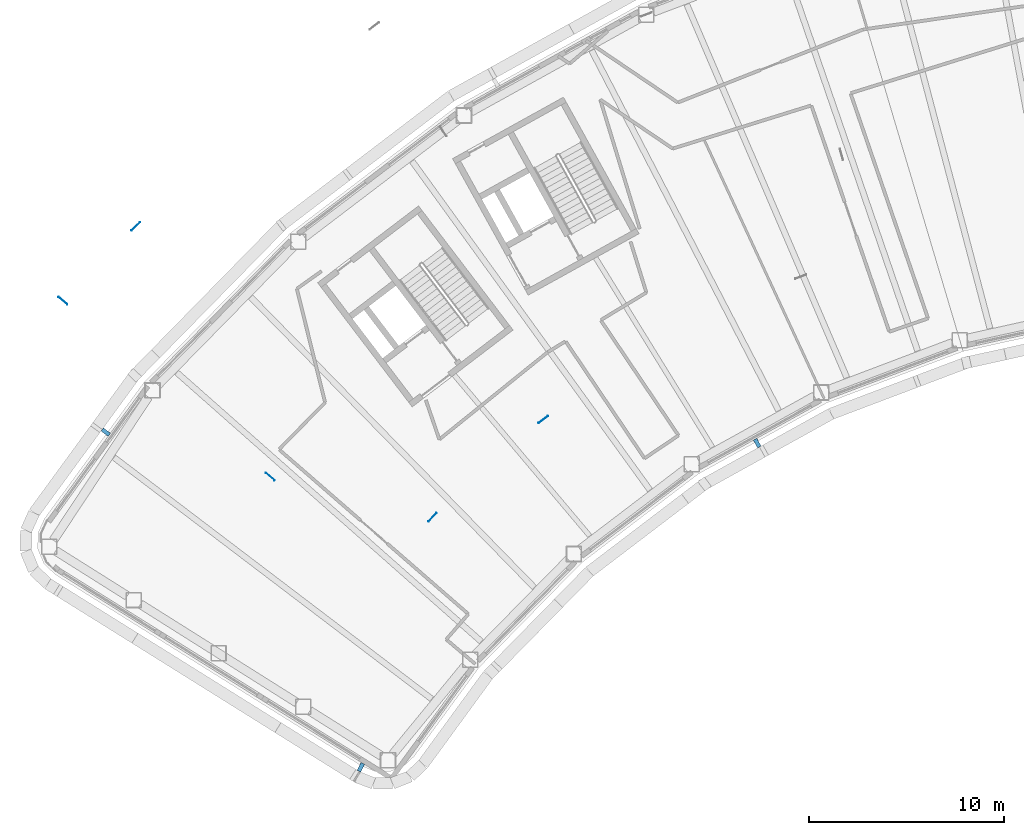
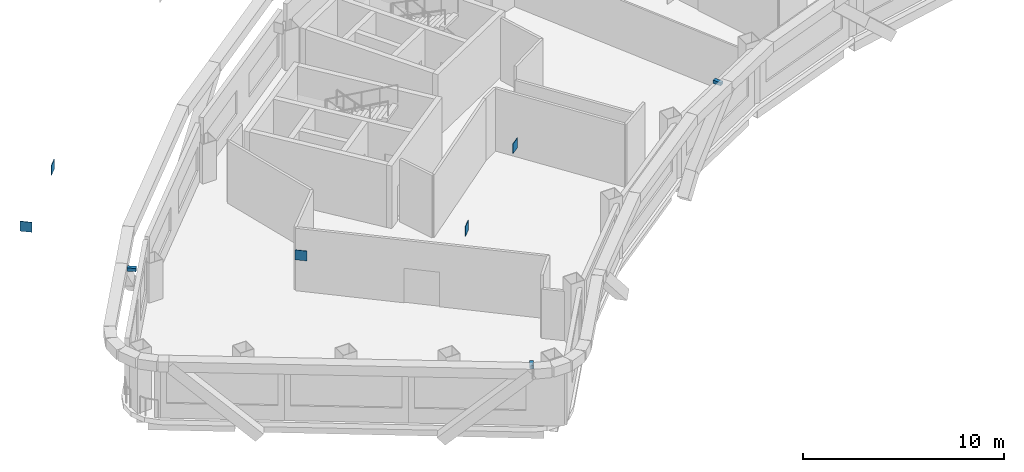
# One storey, part 12 of 21: 8 discrete accessories.
"""IFC4 building model written with IfcOpenShell, lengths in metres."""

import ifcopenshell
import ifcopenshell.guid

model = None  # the IFC model being written
_history = None  # IfcOwnerHistory: only IFC2X3 demands one
_inside = {}  # id of a spatial element -> (the spatial element, [elements in it])
_under = {}  # id of a project, library or spatial element -> (it, [spatial elements below it])
_declared = {}  # id of a project -> (the project, [libraries it declares])
_typed = {}  # id of a type object -> (the type object, [elements of that type])
_made_of = {}  # id of a material, layer set ... -> (it, [elements and type objects made of it])


def new_model(schema):
    """Start an empty IFC model of exactly this schema.

    Asked for "IFC4X3", IfcOpenShell would pick the latest addendum, in which some entities
    have other attributes; the version numbers below select the first issue.
    IFC2X3 requires an IfcOwnerHistory on every rooted entity: one is made here for all.
    """
    global model, _history
    if schema == "IFC4X3":
        model = ifcopenshell.file(schema_version=(4, 3, 0, 0))
    else:
        model = ifcopenshell.file(schema=schema)
    _inside.clear()
    _under.clear()
    _declared.clear()
    _typed.clear()
    _made_of.clear()
    _history = None
    if model.schema == "IFC2X3":
        org = make("IfcOrganization", Name="unknown")
        user = make(
            "IfcPersonAndOrganization",
            ThePerson=make("IfcPerson", FamilyName="unknown"),
            TheOrganization=org,
        )
        app = make(
            "IfcApplication",
            ApplicationDeveloper=org,
            Version="unknown",
            ApplicationFullName="unknown",
            ApplicationIdentifier="unknown",
        )
        _history = make(
            "IfcOwnerHistory",
            OwningUser=user,
            OwningApplication=app,
            ChangeAction="ADDED",
            CreationDate=0,
        )
    return model


def make(cls, **values):
    """One entity of the class cls with the attributes given. An attribute that is None is left unset."""
    return model.create_entity(
        cls, **{name: value for name, value in values.items() if value is not None}
    )


def rooted(cls, **values):
    """An entity with a GlobalId (a new one), such as an element, a storey or a relation."""
    return make(cls, GlobalId=ifcopenshell.guid.new(), OwnerHistory=_history, **values)


def si_unit(unit_type, name, prefix=None):
    """IfcSIUnit, for example si_unit("LENGTHUNIT", "METRE", prefix="MILLI")."""
    return make("IfcSIUnit", UnitType=unit_type, Prefix=prefix, Name=name)


def assignment(units):
    """IfcUnitAssignment: the units of a project."""
    return None if units is None else make("IfcUnitAssignment", Units=units)


def point(xyz):
    """IfcCartesianPoint."""
    return None if xyz is None else make("IfcCartesianPoint", Coordinates=xyz)


def direction(xyz):
    """IfcDirection."""
    return None if xyz is None else make("IfcDirection", DirectionRatios=xyz)


def frame(location, z_axis=None, x_axis=None):
    """IfcAxis2Placement3D, a coordinate frame: its origin and axes. An axis left out is left unset."""
    return make(
        "IfcAxis2Placement3D",
        Location=point(location),
        Axis=direction(z_axis),
        RefDirection=direction(x_axis),
    )


def frame_2d(location, x_axis=None):
    """IfcAxis2Placement2D, a coordinate frame in the plane: its origin and x axis."""
    return make(
        "IfcAxis2Placement2D", Location=point(location), RefDirection=direction(x_axis)
    )


def origin():
    """The frame at (0, 0, 0) with its axes left unset."""
    return frame((0.0, 0.0, 0.0))


def origin_2d():
    """The frame at (0, 0) in the plane with its x axis left unset."""
    return frame_2d((0.0, 0.0))


def place(relative_to, where):
    """IfcLocalPlacement: puts the frame where relative to a parent placement (None: the world)."""
    return make(
        "IfcLocalPlacement", PlacementRelTo=relative_to, RelativePlacement=where
    )


def context(
    kind, dimensions, precision=None, world=None, true_north=None, identifier=None
):
    """IfcGeometricRepresentationContext, for example the 3D "Model" context."""
    return make(
        "IfcGeometricRepresentationContext",
        ContextIdentifier=identifier,
        ContextType=kind,
        CoordinateSpaceDimension=dimensions,
        Precision=precision,
        WorldCoordinateSystem=world,
        TrueNorth=true_north,
    )


def subcontext(parent, identifier, kind, view, scale=None):
    """IfcGeometricRepresentationSubContext, for example "Body" below "Model"."""
    return make(
        "IfcGeometricRepresentationSubContext",
        ContextIdentifier=identifier,
        ContextType=kind,
        ParentContext=parent,
        TargetScale=scale,
        TargetView=view,
    )


def project(units=None, contexts=None):
    """IfcProject with its units and contexts."""
    return rooted(
        "IfcProject",
        Name="project",
        RepresentationContexts=contexts,
        UnitsInContext=assignment(units),
    )


def spatial(cls, under=None, at=None, **own):
    """A site, building, storey or space (cls), placed at a placement, below another one or the project."""
    s = rooted(cls, ObjectPlacement=at, **own)
    if under is not None:
        _under.setdefault(under.id(), (under, []))[1].append(s)
    return s


def profile(cls, at=None, kind="AREA", **sizes):
    """A parametric profile (cls). Its sizes go by their IFC names, for example OverallWidth=200.0."""
    return make(cls, ProfileType=kind, Position=at, **sizes)


def rectangle(**sizes):
    """IfcRectangleProfileDef."""
    return profile("IfcRectangleProfileDef", **sizes)


def extrude(swept, where, along, depth):
    """IfcExtrudedAreaSolid: the profile swept, set in the frame where, extruded along a direction by depth."""
    return make(
        "IfcExtrudedAreaSolid",
        SweptArea=swept,
        Position=where,
        ExtrudedDirection=direction(along),
        Depth=depth,
    )


def shape(context_of_items, identifier, shape_type, items):
    """IfcShapeRepresentation: the items that make up one representation, for example the "Body"."""
    return make(
        "IfcShapeRepresentation",
        ContextOfItems=context_of_items,
        RepresentationIdentifier=identifier,
        RepresentationType=shape_type,
        Items=items,
    )


def material(Name=None, Category=None):
    """IfcMaterial."""
    return make("IfcMaterial", Name=Name, Category=Category)


def made_of(thing, what):
    """Note that an element or type object is made of a material, layer set ...; save() writes the relation."""
    if what is not None:
        _made_of.setdefault(what.id(), (what, []))[1].append(thing)
    return thing


def type_object(cls, material=None, **own):
    """A type object (cls), such as IfcWallType, which elements share."""
    return made_of(rooted(cls, **own), material)


def element(
    cls,
    number,
    at=None,
    inside=None,
    cuts=None,
    type_object=None,
    material=None,
    context=None,
    identifier="Body",
    shape_type=None,
    held_by="IfcProductDefinitionShape",
    body=None,
    shapes=None,
    **own,
):
    """One element of the class cls, such as IfcWall. Its Tag is "e" and its number.

    at: its placement. inside: the storey or other place that contains it. cuts: it is an
    opening in that element (IfcRelVoidsElement). A single representation is given by context,
    identifier, shape_type and body (its items); several are given by shapes. held_by: the class
    of the entity that holds the representations. save() writes the other relations.
    """
    e = rooted(cls, Tag="e%d" % number, ObjectPlacement=at, **own)
    if body is not None:
        shapes = [shape(context, identifier, shape_type, body)]
    if shapes is not None:
        e.Representation = make(held_by, Representations=shapes)
    if inside is not None:
        _inside.setdefault(inside.id(), (inside, []))[1].append(e)
    if cuts is not None:
        rooted(
            "IfcRelVoidsElement", RelatingBuildingElement=cuts, RelatedOpeningElement=e
        )
    if type_object is not None:
        _typed.setdefault(type_object.id(), (type_object, []))[1].append(e)
    return made_of(e, material)


def aggregate(whole, parts):
    """IfcRelAggregates: a whole, such as a stair, and the parts it consists of."""
    return rooted("IfcRelAggregates", RelatingObject=whole, RelatedObjects=parts)


def save(model, path):
    """Write the relations noted so far, then the file.

    IfcRelAggregates (storeys below a building ...), IfcRelContainedInSpatialStructure (elements
    in a storey), IfcRelDefinesByType, IfcRelAssociatesMaterial and IfcRelDeclares: one each for
    every whole, place, type object, material and project.
    """
    for whole, parts in _under.values():
        aggregate(whole, parts)
    for where, things in _inside.values():
        rooted(
            "IfcRelContainedInSpatialStructure",
            RelatedElements=things,
            RelatingStructure=where,
        )
    for kind, things in _typed.values():
        rooted("IfcRelDefinesByType", RelatedObjects=things, RelatingType=kind)
    for what, things in _made_of.values():
        rooted("IfcRelAssociatesMaterial", RelatedObjects=things, RelatingMaterial=what)
    for by, libraries in _declared.values():
        rooted("IfcRelDeclares", RelatingContext=by, RelatedDefinitions=libraries)
    model.write(path)


model = new_model("IFC4")

# Units and contexts
model_context = context("Model", 3, precision=1e-05, world=origin(), true_north=direction((0.0, 1.0)))
body_context = subcontext(model_context, "Body", "Model", "MODEL_VIEW")
ifc_project = project(units=[si_unit("LENGTHUNIT", "METRE"), si_unit("AREAUNIT", "SQUARE_METRE"), si_unit("VOLUMEUNIT", "CUBIC_METRE"), si_unit("PLANEANGLEUNIT", "RADIAN"), si_unit("MASSUNIT", "GRAM", prefix="KILO")], contexts=[model_context])

# Site, building, storey
site_placement = place(None, origin())
site = spatial("IfcSite", under=ifc_project, at=site_placement, CompositionType="ELEMENT")
building_placement = place(site_placement, origin())
building = spatial("IfcBuilding", under=site, at=building_placement, Name="Tuul Gate Civic Tower", CompositionType="ELEMENT")
storey_placement = place(building_placement, frame((0.0, 0.0, 311.0)))
storey = spatial("IfcBuildingStorey", under=building, at=storey_placement, Name="Level 70", CompositionType="ELEMENT", Elevation=311.0)

# Discrete accessories
ifc_material_1 = material(Name="Steel S355", Category="steel")
discrete_accessory_type_1 = type_object("IfcDiscreteAccessoryType", Name="Gusset plate", PredefinedType="BRACKET", material=ifc_material_1)
for number, where, z_axis, x_axis, name in (
    (1, (-54.1806640625, -12.28515625, 2.796875), (0.0, 0.0, 1.0), (0.76282474496, -0.646605295738, 0.0), "Gusset plate"),
    (2, (-43.549072265625, -21.29931640625, 2.79736328125), (0.0, 0.0, 1.0), (-0.76282474496, 0.646605295738, 0.0), "Gusset plate"),
    (3, (-50.443115234375, -8.4755859375, 2.796630859375), (0.0, 0.0, 1.0), (0.700000236809, 0.714142610735, 0.0), "Gusset plate"),
    (4, (-35.23193359375, -23.385986328125, 2.796142578125), (0.0, 0.0, 1.0), (-0.699958144192, -0.714183867347, 0.0), "Gusset plate"),
    (5, (-29.554931640625, -18.37548828125, 2.796142578125), (0.0, 0.0, 1.0), (-0.795616135693, -0.605801093284, 0.0), "Gusset plate"),
):
    element("IfcDiscreteAccessory", number, at=place(storey_placement, frame(where, z_axis=z_axis, x_axis=x_axis)), inside=storey, type_object=discrete_accessory_type_1, Name=name, PredefinedType="BRACKET", context=body_context, shape_type="SweptSolid", body=[
        extrude(rectangle(XDim=0.60009765625, YDim=0.030029296875, at=origin_2d()), origin(), (0.0, 0.0, 1.0), 0.60009765625),
    ])
ifc_material_2 = material(Name="Stainless steel", Category="steel")
discrete_accessory_type_2 = type_object("IfcDiscreteAccessoryType", Name="Screen bracket", PredefinedType="BRACKET", material=ifc_material_2)
discrete_accessory_1_placement = place(storey_placement, frame((-51.980224609375, -19.020751953125, 3.75), z_axis=(0.0, 0.0, 1.0), x_axis=(-0.802893433111, 0.596122583927, 0.0)))
element("IfcDiscreteAccessory", 6, at=discrete_accessory_1_placement, inside=storey, type_object=discrete_accessory_type_2, Name="Screen bracket 17", PredefinedType="BRACKET", context=body_context, shape_type="SweptSolid", body=[
    extrude(rectangle(XDim=0.449951171875, YDim=0.199951171875, at=origin_2d()), origin(), (0.0, 0.0, 1.0), 0.199951171875),
])
discrete_accessory_2_placement = place(storey_placement, frame((-38.904296875, -36.20361328125, 3.75), z_axis=(0.0, 0.0, 1.0), x_axis=(-0.448604729074, -0.89373027086, 0.0)))
element("IfcDiscreteAccessory", 7, at=discrete_accessory_2_placement, inside=storey, type_object=discrete_accessory_type_2, Name="Screen bracket 20", PredefinedType="BRACKET", context=body_context, shape_type="SweptSolid", body=[
    extrude(rectangle(XDim=0.451904296875, YDim=0.199951171875, at=origin_2d()), origin(), (0.0, 0.0, 1.0), 0.199951171875),
])
discrete_accessory_3_placement = place(storey_placement, frame((-18.58349609375, -19.584228515625, 3.75), z_axis=(0.0, 0.0, 1.0), x_axis=(0.490458166846, -0.871464736277, 0.0)))
element("IfcDiscreteAccessory", 8, at=discrete_accessory_3_placement, inside=storey, type_object=discrete_accessory_type_2, Name="Screen bracket 23", PredefinedType="BRACKET", context=body_context, shape_type="SweptSolid", body=[
    extrude(rectangle(XDim=0.449951171875, YDim=0.199951171875, at=origin_2d()), origin(), (0.0, 0.0, 1.0), 0.199951171875),
])

save(model, "model.ifc")
